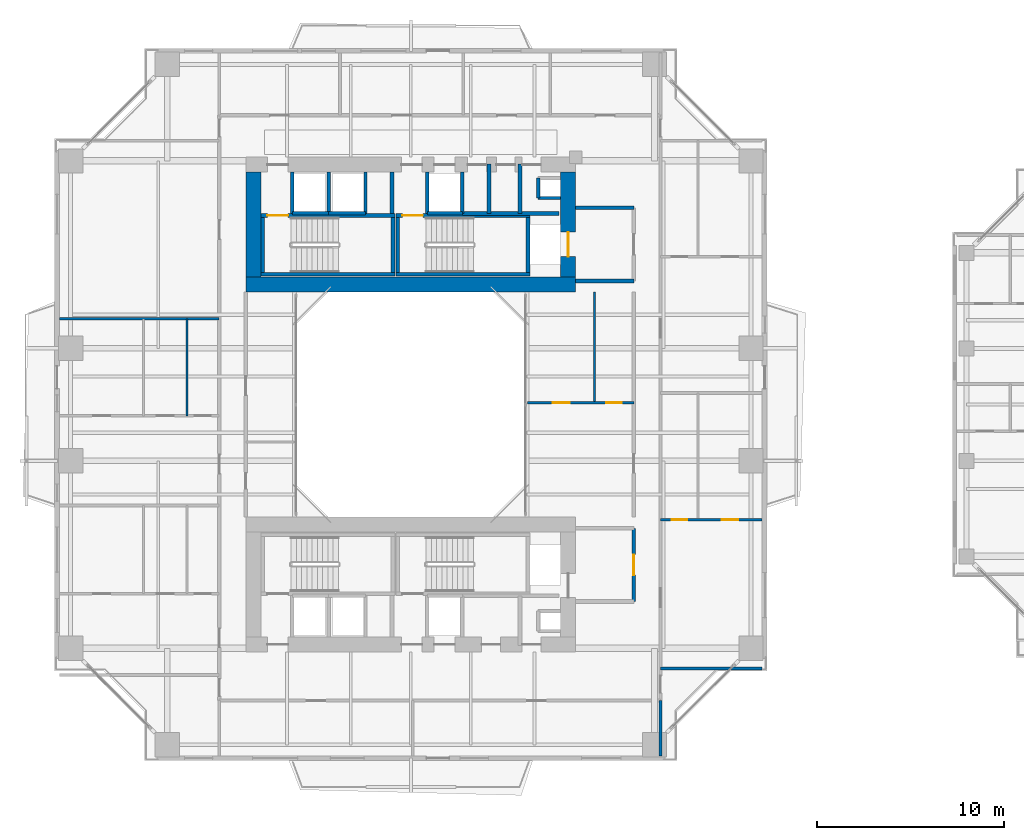
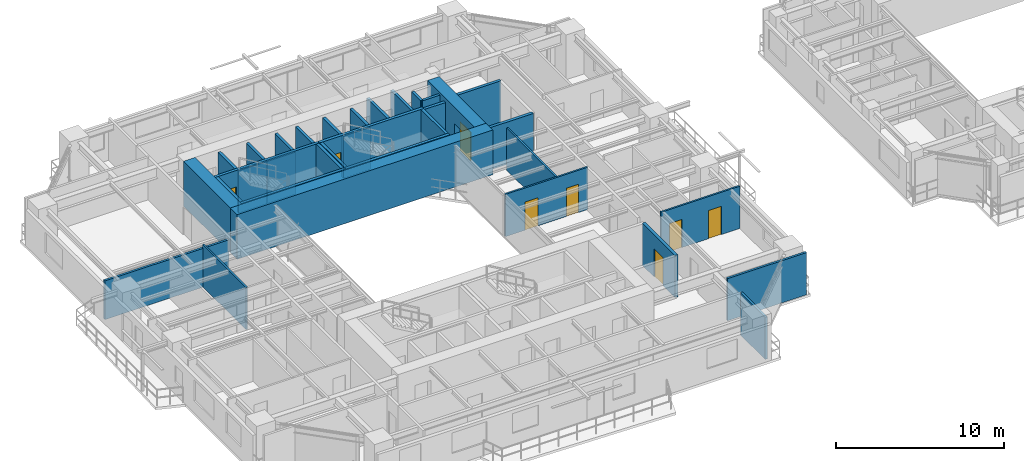
# One storey, part 14 of 24: 35 walls, 8 doors, 8 openings.
"""IFC4 building model written with IfcOpenShell, lengths in metres."""

from ifc_helpers import new_model, si_unit, direction, frame, frame_2d, origin, place, context, subcontext, project, spatial, rectangle, extrude, source, transform, mapped, material, layer, layer_set, type_object, element, fill, save


model = new_model("IFC4")

# Units and contexts
model_context = context("Model", 3, precision=1e-05, world=origin(), true_north=direction((0.0, 1.0)))
body_context = subcontext(model_context, "Body", "Model", "MODEL_VIEW")
ifc_project = project(units=[si_unit("LENGTHUNIT", "METRE"), si_unit("AREAUNIT", "SQUARE_METRE"), si_unit("VOLUMEUNIT", "CUBIC_METRE"), si_unit("PLANEANGLEUNIT", "RADIAN"), si_unit("MASSUNIT", "GRAM", prefix="KILO"), si_unit("THERMODYNAMICTEMPERATUREUNIT", "KELVIN"), si_unit("POWERUNIT", "WATT")], contexts=[model_context])

# Site, building, storey
site_placement = place(None, origin())
site = spatial("IfcSite", under=ifc_project, at=site_placement, CompositionType="ELEMENT")
building_placement = place(site_placement, origin())
building = spatial("IfcBuilding", under=site, at=building_placement, Name="Qiaomeng Ring Towers", CompositionType="ELEMENT")
storey_placement = place(building_placement, frame((0.0, 0.0, 69.75)))
storey = spatial("IfcBuildingStorey", under=building, at=storey_placement, Name="L19", CompositionType="ELEMENT", Elevation=69.75)

# Walls
ifc_material_1 = material(Name="Autoclaved aerated concrete block", Category="concrete")
ifc_layer_1 = layer(ifc_material_1, 0.199951171875, Name="Autoclaved aerated concrete block")
ifc_layer_set_1 = layer_set([ifc_layer_1], Name="Autoclaved aerated concrete block")
wall_type_1 = type_object("IfcWallType", Name="ARC-WL-PW1", PredefinedType="PARTITIONING", material=ifc_layer_set_1)
for number, where, z_axis, x_axis, name in (
    (1, (27.800048828125, 29.60009765625, 0.0), (0.0, 0.0, 1.0), (1.0, 0.0, 0.0), "L19 Interior Wall PW1"),
    (2, (27.800048828125, 33.5, 0.0), (0.0, 0.0, 1.0), (1.0, 0.0, 0.0), "L19 Interior Wall PW1"),
):
    element("IfcWall", number, at=place(storey_placement, frame(where, z_axis=z_axis, x_axis=x_axis)), inside=storey, type_object=wall_type_1, Name=name, PredefinedType="PARTITIONING", context=body_context, shape_type="SweptSolid", body=[
        extrude(rectangle(XDim=3.099853515625, YDim=0.199951171875, at=frame_2d((1.5498046875, 0.0))), origin(), (0.0, 0.0, 1.0), 3.070068359375),
    ])

# Wall, opening, door
wall_1_placement = place(storey_placement, frame((30.89990234375, 12.5, 0.0), z_axis=(0.0, 0.0, 1.0), x_axis=(0.0, 1.0, 0.0)))
wall_1 = element("IfcWall", 3, at=wall_1_placement, inside=storey, type_object=wall_type_1, Name="L19 Interior Wall PW1", PredefinedType="PARTITIONING", context=body_context, shape_type="SweptSolid", body=[
    extrude(rectangle(XDim=3.89990234375, YDim=0.199951171875, at=frame_2d((1.949951171875, 0.0))), origin(), (0.0, 0.0, 1.0), 3.070068359375),
])
opening_1_placement = place(wall_1_placement, frame((1.39990234375, 0.0, 0.0)))
opening_1 = element("IfcOpeningElement", 4, at=opening_1_placement, cuts=wall_1, Name="Opening FD3", PredefinedType="OPENING", context=body_context, shape_type="SweptSolid", body=[
    extrude(rectangle(XDim=1.10009765625, YDim=2.050048828125, at=frame_2d((0.550048828125, 1.02490234375))), frame((0.0, 0.10986328125, 0.0), z_axis=(0.0, -1.0, 0.0), x_axis=(1.0, 0.0, 0.0)), (0.0, 0.0, 1.0), 0.219970703125),
])
ifc_material_2 = material(Name="Galvanised steel", Category="steel")
door_type_1 = type_object("IfcDoorType", Name="ARC-DR-FD3", OperationType="NOTDEFINED", PredefinedType="DOOR", material=ifc_material_2)
shared_shape_1 = source(origin(), body_context, "Body", "SweptSolid", [
    extrude(rectangle(XDim=1.10009765625, YDim=2.050048828125, at=frame_2d((0.550048828125, 1.02490234375))), frame((0.0, 0.02490234375, 0.0), z_axis=(0.0, -1.0, 0.0), x_axis=(1.0, 0.0, 0.0)), (0.0, 0.0, 1.0), 0.050048828125),
])
door_1_placement = place(opening_1_placement, origin())
door_1 = element("IfcDoor", 5, at=door_1_placement, inside=storey, type_object=door_type_1, Name="L19 South FF Lobby Door", OperationType="SINGLE_SWING_LEFT", OverallHeight=2.050048828125, OverallWidth=1.10009765625, PredefinedType="DOOR", context=body_context, shape_type="MappedRepresentation", body=[
    mapped(shared_shape_1, transform((0.0, 0.0, 0.0), x_axis=(1.0, 0.0, 0.0), y_axis=(0.0, 1.0, 0.0), z_axis=(0.0, 0.0, 1.0), scale=1.0)),
])
fill(opening_1, door_1)

# Walls
for number, where, z_axis, x_axis, name in (
    (6, (12.679931640625, 33.18994140625, 0.0), (0.0, 0.0, 1.0), (0.0, 1.0, 0.0), "L19 Interior Wall PW1"),
    (7, (18.0, 33.18994140625, 0.0), (0.0, 0.0, 1.0), (0.0, 1.0, 0.0), "L19 Interior Wall PW1"),
    (8, (19.8798828125, 33.18994140625, 0.0), (0.0, 0.0, 1.0), (0.0, 1.0, 0.0), "L19 Interior Wall PW1"),
):
    element("IfcWall", number, at=place(storey_placement, frame(where, z_axis=z_axis, x_axis=x_axis)), inside=storey, type_object=wall_type_1, Name=name, PredefinedType="PARTITIONING", context=body_context, shape_type="SweptSolid", body=[
        extrude(rectangle(XDim=2.2099609375, YDim=0.199951171875, at=frame_2d((1.10498046875, 0.0))), origin(), (0.0, 0.0, 1.0), 3.070068359375),
    ])
wall_2_placement = place(storey_placement, frame((24.820068359375, 33.199951171875, 0.0), z_axis=(0.0, 0.0, 1.0), x_axis=(0.0, 1.0, 0.0)))
element("IfcWall", 9, at=wall_2_placement, inside=storey, type_object=wall_type_1, Name="L19 Interior Wall PW1", PredefinedType="PARTITIONING", context=body_context, shape_type="SweptSolid", body=[
    extrude(rectangle(XDim=2.650146484375, YDim=0.199951171875, at=frame_2d((1.3251953125, 0.0))), origin(), (0.0, 0.0, 1.0), 3.070068359375),
])
wall_3_placement = place(storey_placement, frame((21.75, 33.199951171875, 0.0), z_axis=(0.0, 0.0, 1.0), x_axis=(0.0, 1.0, 0.0)))
element("IfcWall", 10, at=wall_3_placement, inside=storey, type_object=wall_type_1, Name="L19 Interior Wall PW1", PredefinedType="PARTITIONING", context=body_context, shape_type="SweptSolid", body=[
    extrude(rectangle(XDim=2.199951171875, YDim=0.199951171875, at=frame_2d((1.10009765625, 0.0))), origin(), (0.0, 0.0, 1.0), 3.070068359375),
])
wall_4_placement = place(storey_placement, frame((23.169921875, 33.199951171875, 0.0), z_axis=(0.0, 0.0, 1.0), x_axis=(0.0, 1.0, 0.0)))
element("IfcWall", 11, at=wall_4_placement, inside=storey, type_object=wall_type_1, Name="L19 Interior Wall PW1", PredefinedType="PARTITIONING", context=body_context, shape_type="SweptSolid", body=[
    extrude(rectangle(XDim=2.650146484375, YDim=0.199951171875, at=frame_2d((1.3251953125, 0.0))), origin(), (0.0, 0.0, 1.0), 3.070068359375),
])
wall_5_placement = place(storey_placement, frame((21.75, 33.199951171875, 0.0), z_axis=(0.0, 0.0, 1.0), x_axis=(1.0, 0.0, 0.0)))
element("IfcWall", 12, at=wall_5_placement, inside=storey, type_object=wall_type_1, Name="L19 Interior Wall PW1", PredefinedType="PARTITIONING", context=body_context, shape_type="SweptSolid", body=[
    extrude(rectangle(XDim=5.169921875, YDim=0.199951171875, at=frame_2d((2.5849609375, 0.0))), origin(), (0.0, 0.0, 1.0), 3.070068359375),
])
ifc_material_3 = material(Name="Gypsum fireboard steel-stud partition", Category="steel")
ifc_layer_2 = layer(ifc_material_3, 0.14990234375, Name="Gypsum fireboard steel-stud partition")
ifc_layer_set_2 = layer_set([ifc_layer_2], Name="Gypsum fireboard steel-stud partition")
wall_type_2 = type_object("IfcWallType", Name="ARC-WL-PW3", PredefinedType="PARTITIONING", material=ifc_layer_set_2)
wall_6_placement = place(storey_placement, frame((32.320068359375, 4.25, 0.0), z_axis=(0.0, 0.0, 1.0), x_axis=(0.0, 1.0, 0.0)))
element("IfcWall", 13, at=wall_6_placement, inside=storey, type_object=wall_type_2, Name="L19 Interior Wall PW3", PredefinedType="PARTITIONING", context=body_context, shape_type="SweptSolid", body=[
    extrude(rectangle(XDim=2.9599609375, YDim=0.14990234375, at=frame_2d((1.47998046875, 0.0))), origin(), (0.0, 0.0, 1.0), 3.070068359375),
])
wall_7_placement = place(storey_placement, frame((0.25, 27.580078125, 0.0), z_axis=(0.0, 0.0, 1.0), x_axis=(1.0, 0.0, 0.0)))
element("IfcWall", 14, at=wall_7_placement, inside=storey, type_object=wall_type_2, Name="L19 Interior Wall PW3", PredefinedType="PARTITIONING", context=body_context, shape_type="SweptSolid", body=[
    extrude(rectangle(XDim=8.530029296875, YDim=0.14990234375, at=frame_2d((4.26513671875, 0.0))), origin(), (0.0, 0.0, 1.0), 2.821044921875),
])
wall_8_placement = place(storey_placement, frame((32.320068359375, 8.919921875, 0.0), z_axis=(0.0, 0.0, 1.0), x_axis=(1.0, 0.0, 0.0)))
element("IfcWall", 15, at=wall_8_placement, inside=storey, type_object=wall_type_2, Name="L19 Interior Wall PW3", PredefinedType="PARTITIONING", context=body_context, shape_type="SweptSolid", body=[
    extrude(rectangle(XDim=5.429931640625, YDim=0.14990234375, at=frame_2d((2.71484375, 0.0))), origin(), (0.0, 0.0, 1.0), 3.070068359375),
])
ifc_material_4 = material(Name="Moisture-resistant gypsum steel-stud partition", Category="steel")
ifc_layer_3 = layer(ifc_material_4, 0.1201171875, Name="Moisture-resistant gypsum steel-stud partition")
ifc_layer_set_3 = layer_set([ifc_layer_3], Name="Moisture-resistant gypsum steel-stud partition")
wall_type_3 = type_object("IfcWallType", Name="ARC-WL-PW4", PredefinedType="PLUMBINGWALL", material=ifc_layer_set_3)
wall_9_placement = place(storey_placement, frame((7.06005859375, 22.39990234375, 0.0), z_axis=(0.0, 0.0, 1.0), x_axis=(0.0, 1.0, 0.0)))
element("IfcWall", 16, at=wall_9_placement, inside=storey, type_object=wall_type_3, Name="L19 Interior Wall PW4", PredefinedType="PLUMBINGWALL", context=body_context, shape_type="SweptSolid", body=[
    extrude(rectangle(XDim=5.18017578125, YDim=0.1201171875, at=frame_2d((2.590087890625, 0.0))), origin(), (0.0, 0.0, 1.0), 3.070068359375),
])

# Wall, openings, doors
wall_10_placement = place(storey_placement, frame((32.320068359375, 16.860107421875, 0.0), z_axis=(0.0, 0.0, 1.0), x_axis=(1.0, 0.0, 0.0)))
wall_10 = element("IfcWall", 17, at=wall_10_placement, inside=storey, type_object=wall_type_3, Name="L19 Interior Wall PW4", PredefinedType="PLUMBINGWALL", context=body_context, shape_type="SweptSolid", body=[
    extrude(rectangle(XDim=5.429931640625, YDim=0.1201171875, at=frame_2d((2.71484375, 0.0))), origin(), (0.0, 0.0, 1.0), 3.070068359375),
])
opening_2_placement = place(wall_10_placement, frame((0.590087890625, 0.0, 0.0)))
opening_2 = element("IfcOpeningElement", 18, at=opening_2_placement, cuts=wall_10, Name="Opening ID2", PredefinedType="OPENING", context=body_context, shape_type="SweptSolid", body=[
    extrude(rectangle(XDim=0.85009765625, YDim=2.050048828125, at=frame_2d((0.425048828125, 1.02490234375))), frame((0.0, 0.070068359375, 0.0), z_axis=(0.0, -1.0, 0.0), x_axis=(1.0, 0.0, 0.0)), (0.0, 0.0, 1.0), 0.14013671875),
])
opening_3_placement = place(wall_10_placement, frame((3.260009765625, 0.0, 0.0)))
opening_3 = element("IfcOpeningElement", 19, at=opening_3_placement, cuts=wall_10, Name="Opening ID1", PredefinedType="OPENING", context=body_context, shape_type="SweptSolid", body=[
    extrude(rectangle(XDim=0.89990234375, YDim=2.050048828125, at=frame_2d((0.449951171875, 1.02490234375))), frame((0.0, 0.070068359375, 0.0), z_axis=(0.0, -1.0, 0.0), x_axis=(1.0, 0.0, 0.0)), (0.0, 0.0, 1.0), 0.14013671875),
])
ifc_material_5 = material(Name="Moisture-resistant engineered timber", Category="wood")
door_type_2 = type_object("IfcDoorType", Name="ARC-DR-ID2", OperationType="NOTDEFINED", PredefinedType="DOOR", material=ifc_material_5)
shared_shape_2 = source(origin(), body_context, "Body", "SweptSolid", [
    extrude(rectangle(XDim=0.85009765625, YDim=2.050048828125, at=frame_2d((0.425048828125, 1.02490234375))), frame((0.0, 0.02490234375, 0.0), z_axis=(0.0, -1.0, 0.0), x_axis=(1.0, 0.0, 0.0)), (0.0, 0.0, 1.0), 0.050048828125),
])
door_2_placement = place(opening_2_placement, origin())
door_2 = element("IfcDoor", 20, at=door_2_placement, inside=storey, type_object=door_type_2, Name="L19 Door ID2", OperationType="SINGLE_SWING_RIGHT", OverallHeight=2.050048828125, OverallWidth=0.85009765625, PredefinedType="DOOR", context=body_context, shape_type="MappedRepresentation", body=[
    mapped(shared_shape_2, transform((0.0, 0.0, 0.0), x_axis=(1.0, 0.0, 0.0), y_axis=(0.0, 1.0, 0.0), z_axis=(0.0, 0.0, 1.0), scale=1.0)),
])
fill(opening_2, door_2)
ifc_material_6 = material(Name="Engineered oak timber", Category="wood")
door_type_3 = type_object("IfcDoorType", Name="ARC-DR-ID1", OperationType="NOTDEFINED", PredefinedType="DOOR", material=ifc_material_6)
shared_shape_3 = source(origin(), body_context, "Body", "SweptSolid", [
    extrude(rectangle(XDim=0.89990234375, YDim=2.050048828125, at=frame_2d((0.449951171875, 1.02490234375))), frame((0.0, 0.02490234375, 0.0), z_axis=(0.0, -1.0, 0.0), x_axis=(1.0, 0.0, 0.0)), (0.0, 0.0, 1.0), 0.050048828125),
])
door_3_placement = place(opening_3_placement, origin())
door_3 = element("IfcDoor", 21, at=door_3_placement, inside=storey, type_object=door_type_3, Name="L19 Door ID1", OperationType="SINGLE_SWING_LEFT", OverallHeight=2.050048828125, OverallWidth=0.89990234375, PredefinedType="DOOR", context=body_context, shape_type="MappedRepresentation", body=[
    mapped(shared_shape_3, transform((0.0, 0.0, 0.0), x_axis=(1.0, 0.0, 0.0), y_axis=(0.0, 1.0, 0.0), z_axis=(0.0, 0.0, 1.0), scale=1.0)),
])
fill(opening_3, door_3)

wall_11_placement = place(storey_placement, frame((25.219970703125, 23.10009765625, 0.0), z_axis=(0.0, 0.0, 1.0), x_axis=(1.0, 0.0, 0.0)))
wall_11 = element("IfcWall", 22, at=wall_11_placement, inside=storey, type_object=wall_type_3, Name="L19 Interior Wall PW4", PredefinedType="PLUMBINGWALL", context=body_context, shape_type="SweptSolid", body=[
    extrude(rectangle(XDim=5.679931640625, YDim=0.1201171875, at=frame_2d((2.83984375, 0.0))), origin(), (0.0, 0.0, 1.0), 3.070068359375),
])
opening_4_placement = place(wall_11_placement, frame((1.35009765625, 0.0, 0.0)))
opening_4 = element("IfcOpeningElement", 23, at=opening_4_placement, cuts=wall_11, Name="Opening ID1", PredefinedType="OPENING", context=body_context, shape_type="SweptSolid", body=[
    extrude(rectangle(XDim=0.89990234375, YDim=2.050048828125, at=frame_2d((0.449951171875, 1.02490234375))), frame((0.0, 0.070068359375, 0.0), z_axis=(0.0, -1.0, 0.0), x_axis=(1.0, 0.0, 0.0)), (0.0, 0.0, 1.0), 0.14013671875),
])
opening_5_placement = place(wall_11_placement, frame((4.195068359375, 0.0, 0.0)))
opening_5 = element("IfcOpeningElement", 24, at=opening_5_placement, cuts=wall_11, Name="Opening ID2", PredefinedType="OPENING", context=body_context, shape_type="SweptSolid", body=[
    extrude(rectangle(XDim=0.85009765625, YDim=2.050048828125, at=frame_2d((0.425048828125, 1.02490234375))), frame((0.0, 0.070068359375, 0.0), z_axis=(0.0, -1.0, 0.0), x_axis=(1.0, 0.0, 0.0)), (0.0, 0.0, 1.0), 0.14013671875),
])
door_4_placement = place(opening_5_placement, origin())
door_4 = element("IfcDoor", 25, at=door_4_placement, inside=storey, type_object=door_type_2, Name="L19 Door ID2", OperationType="SINGLE_SWING_LEFT", OverallHeight=2.050048828125, OverallWidth=0.85009765625, PredefinedType="DOOR", context=body_context, shape_type="MappedRepresentation", body=[
    mapped(shared_shape_2, transform((0.0, 0.0, 0.0), x_axis=(1.0, 0.0, 0.0), y_axis=(0.0, 1.0, 0.0), z_axis=(0.0, 0.0, 1.0), scale=1.0)),
])
fill(opening_5, door_4)
door_5_placement = place(opening_4_placement, origin())
door_5 = element("IfcDoor", 26, at=door_5_placement, inside=storey, type_object=door_type_3, Name="L19 Door ID1", OperationType="SINGLE_SWING_RIGHT", OverallHeight=2.050048828125, OverallWidth=0.89990234375, PredefinedType="DOOR", context=body_context, shape_type="MappedRepresentation", body=[
    mapped(shared_shape_3, transform((0.0, 0.0, 0.0), x_axis=(1.0, 0.0, 0.0), y_axis=(0.0, 1.0, 0.0), z_axis=(0.0, 0.0, 1.0), scale=1.0)),
])
fill(opening_4, door_5)

# Walls
wall_12_placement = place(storey_placement, frame((28.800048828125, 23.10009765625, 0.0), z_axis=(0.0, 0.0, 1.0), x_axis=(0.0, 1.0, 0.0)))
element("IfcWall", 27, at=wall_12_placement, inside=storey, type_object=wall_type_3, Name="L19 Interior Wall PW4", PredefinedType="PLUMBINGWALL", context=body_context, shape_type="SweptSolid", body=[
    extrude(rectangle(XDim=5.89990234375, YDim=0.1201171875, at=frame_2d((2.949951171875, 0.0))), origin(), (0.0, 0.0, 1.0), 3.070068359375),
])
ifc_material_7 = material(Name="Concrete C40", Category="concrete")
ifc_layer_4 = layer(ifc_material_7, 0.199951171875, Name="Concrete C40")
ifc_layer_set_4 = layer_set([ifc_layer_4], Name="Concrete C40")
wall_type_4 = type_object("IfcWallType", Name="STR-WL-STSHAFT", PredefinedType="SHEAR", material=ifc_layer_set_4)
wall_13_placement = place(storey_placement, frame((12.679931640625, 33.199951171875, 0.0), z_axis=(0.0, 0.0, 1.0), x_axis=(1.0, 0.0, 0.0)))
element("IfcWall", 28, at=wall_13_placement, inside=storey, type_object=wall_type_4, Name="L19 Lift LP5 Shaft Back Wall", PredefinedType="SHEAR", context=body_context, shape_type="SweptSolid", body=[
    extrude(rectangle(XDim=1.940185546875, YDim=0.179931640625, at=frame_2d((0.97021484375, 0.0))), origin(), (0.0, 0.0, 1.0), 3.070068359375),
])
wall_14_placement = place(storey_placement, frame((14.6201171875, 33.199951171875, 0.0), z_axis=(0.0, 0.0, 1.0), x_axis=(0.0, 1.0, 0.0)))
element("IfcWall", 29, at=wall_14_placement, inside=storey, type_object=wall_type_4, Name="L19 Lift LP5-LP3 Shaft Divider Wall", PredefinedType="SHEAR", context=body_context, shape_type="SweptSolid", body=[
    extrude(rectangle(XDim=2.199951171875, YDim=0.179931640625, at=frame_2d((1.10009765625, 0.0))), origin(), (0.0, 0.0, 1.0), 3.070068359375),
])
wall_15_placement = place(storey_placement, frame((25.800048828125, 34.02001953125, 0.0), z_axis=(0.0, 0.0, 1.0), x_axis=(0.0, 1.0, 0.0)))
element("IfcWall", 30, at=wall_15_placement, inside=storey, type_object=wall_type_4, Name="L19 Riser RSR1 West Shaft Wall N", PredefinedType="SHEAR", context=body_context, shape_type="SweptSolid", body=[
    extrude(rectangle(XDim=1.06005859375, YDim=0.179931640625, at=frame_2d((0.530029296875, 0.0))), origin(), (0.0, 0.0, 1.0), 3.070068359375),
])
wall_16_placement = place(storey_placement, frame((25.800048828125, 34.02001953125, 0.0), z_axis=(0.0, 0.0, 1.0), x_axis=(1.0, 0.0, 0.0)))
element("IfcWall", 31, at=wall_16_placement, inside=storey, type_object=wall_type_4, Name="L19 Riser RSR1 South Shaft Wall N", PredefinedType="SHEAR", context=body_context, shape_type="SweptSolid", body=[
    extrude(rectangle(XDim=1.199951171875, YDim=0.179931640625, at=frame_2d((0.60009765625, 0.0))), origin(), (0.0, 0.0, 1.0), 3.070068359375),
])
wall_17_placement = place(storey_placement, frame((14.6201171875, 33.199951171875, 0.0), z_axis=(0.0, 0.0, 1.0), x_axis=(1.0, 0.0, 0.0)))
element("IfcWall", 32, at=wall_17_placement, inside=storey, type_object=wall_type_4, Name="L19 Lift LP3 Shaft Back Wall", PredefinedType="SHEAR", context=body_context, shape_type="SweptSolid", body=[
    extrude(rectangle(XDim=1.9599609375, YDim=0.179931640625, at=frame_2d((0.97998046875, 0.0))), origin(), (0.0, 0.0, 1.0), 3.070068359375),
])
wall_18_placement = place(storey_placement, frame((16.580078125, 33.199951171875, 0.0), z_axis=(0.0, 0.0, 1.0), x_axis=(0.0, 1.0, 0.0)))
element("IfcWall", 33, at=wall_18_placement, inside=storey, type_object=wall_type_4, Name="L19 Lift LP3 East Shaft Wall", PredefinedType="SHEAR", context=body_context, shape_type="SweptSolid", body=[
    extrude(rectangle(XDim=2.199951171875, YDim=0.179931640625, at=frame_2d((1.10009765625, 0.0))), origin(), (0.0, 0.0, 1.0), 3.070068359375),
])
wall_19_placement = place(storey_placement, frame((19.8798828125, 33.199951171875, 0.0), z_axis=(0.0, 0.0, 1.0), x_axis=(1.0, 0.0, 0.0)))
element("IfcWall", 34, at=wall_19_placement, inside=storey, type_object=wall_type_4, Name="L19 Lift LP1 Shaft Back Wall", PredefinedType="SHEAR", context=body_context, shape_type="SweptSolid", body=[
    extrude(rectangle(XDim=1.8701171875, YDim=0.179931640625, at=frame_2d((0.93505859375, 0.0))), origin(), (0.0, 0.0, 1.0), 3.070068359375),
])
wall_20_placement = place(storey_placement, frame((11.0, 29.949951171875, 0.0), z_axis=(0.0, 0.0, 1.0), x_axis=(1.0, 0.0, 0.0)))
element("IfcWall", 35, at=wall_20_placement, inside=storey, type_object=wall_type_4, Name="L19 Stair ST1 South Shaft Shear Wall", PredefinedType="SHEAR", context=body_context, shape_type="SweptSolid", body=[
    extrude(rectangle(XDim=7.14990234375, YDim=0.199951171875, at=frame_2d((3.574951171875, 0.0))), origin(), (0.0, 0.0, 1.0), 3.25),
])

# Wall, opening, door
wall_21_placement = place(storey_placement, frame((11.0, 33.090087890625, 0.0), z_axis=(0.0, 0.0, 1.0), x_axis=(1.0, 0.0, 0.0)))
wall_21 = element("IfcWall", 36, at=wall_21_placement, inside=storey, type_object=wall_type_4, Name="L19 Stair ST1 North Shaft Shear Wall", PredefinedType="SHEAR", context=body_context, shape_type="SweptSolid", body=[
    extrude(rectangle(XDim=7.14990234375, YDim=0.199951171875, at=frame_2d((3.574951171875, 0.0))), origin(), (0.0, 0.0, 1.0), 3.25),
])
opening_6_placement = place(wall_21_placement, frame((0.35009765625, 0.0, 0.0)))
opening_6 = element("IfcOpeningElement", 37, at=opening_6_placement, cuts=wall_21, Name="Opening FD3", PredefinedType="OPENING", context=body_context, shape_type="SweptSolid", body=[
    extrude(rectangle(XDim=1.10009765625, YDim=2.050048828125, at=frame_2d((0.550048828125, 1.02490234375))), frame((0.0, 0.10986328125, 0.0), z_axis=(0.0, -1.0, 0.0), x_axis=(1.0, 0.0, 0.0)), (0.0, 0.0, 1.0), 0.219970703125),
])
door_6_placement = place(opening_6_placement, origin())
door_6 = element("IfcDoor", 38, at=door_6_placement, inside=storey, type_object=door_type_1, Name="L19 Stair ST1 Exit Door", OperationType="SINGLE_SWING_LEFT", OverallHeight=2.050048828125, OverallWidth=1.10009765625, PredefinedType="DOOR", context=body_context, shape_type="MappedRepresentation", body=[
    mapped(shared_shape_1, transform((0.0, 0.0, 0.0), x_axis=(1.0, 0.0, 0.0), y_axis=(0.0, 1.0, 0.0), z_axis=(0.0, 0.0, 1.0), scale=1.0)),
])
fill(opening_6, door_6)

# Walls
for number, where, z_axis, x_axis, name in (
    (39, (11.10009765625, 30.050048828125, 0.0), (0.0, 0.0, 1.0), (0.0, 1.0, 0.0), "L19 Stair ST1 West Shaft Shear Wall"),
    (40, (18.050048828125, 30.050048828125, 0.0), (0.0, 0.0, 1.0), (0.0, 1.0, 0.0), "L19 Stair ST1 East Shaft Shear Wall"),
):
    element("IfcWall", number, at=place(storey_placement, frame(where, z_axis=z_axis, x_axis=x_axis)), inside=storey, type_object=wall_type_4, Name=name, PredefinedType="SHEAR", context=body_context, shape_type="SweptSolid", body=[
        extrude(rectangle(XDim=2.93994140625, YDim=0.199951171875, at=frame_2d((1.469970703125, 0.0))), origin(), (0.0, 0.0, 1.0), 3.25),
    ])
wall_22_placement = place(storey_placement, frame((18.199951171875, 29.949951171875, 0.0), z_axis=(0.0, 0.0, 1.0), x_axis=(1.0, 0.0, 0.0)))
element("IfcWall", 41, at=wall_22_placement, inside=storey, type_object=wall_type_4, Name="L19 Stair ST2 South Shaft Shear Wall", PredefinedType="SHEAR", context=body_context, shape_type="SweptSolid", body=[
    extrude(rectangle(XDim=7.150146484375, YDim=0.199951171875, at=frame_2d((3.5751953125, 0.0))), origin(), (0.0, 0.0, 1.0), 3.25),
])

# Wall, opening, door
wall_23_placement = place(storey_placement, frame((18.199951171875, 33.090087890625, 0.0), z_axis=(0.0, 0.0, 1.0), x_axis=(1.0, 0.0, 0.0)))
wall_23 = element("IfcWall", 42, at=wall_23_placement, inside=storey, type_object=wall_type_4, Name="L19 Stair ST2 North Shaft Shear Wall", PredefinedType="SHEAR", context=body_context, shape_type="SweptSolid", body=[
    extrude(rectangle(XDim=7.150146484375, YDim=0.199951171875, at=frame_2d((3.5751953125, 0.0))), origin(), (0.0, 0.0, 1.0), 3.25),
])
opening_7_placement = place(wall_23_placement, frame((0.35009765625, 0.0, 0.0)))
opening_7 = element("IfcOpeningElement", 43, at=opening_7_placement, cuts=wall_23, Name="Opening FD3", PredefinedType="OPENING", context=body_context, shape_type="SweptSolid", body=[
    extrude(rectangle(XDim=1.10009765625, YDim=2.050048828125, at=frame_2d((0.550048828125, 1.02490234375))), frame((0.0, 0.10986328125, 0.0), z_axis=(0.0, -1.0, 0.0), x_axis=(1.0, 0.0, 0.0)), (0.0, 0.0, 1.0), 0.219970703125),
])
door_7_placement = place(opening_7_placement, origin())
door_7 = element("IfcDoor", 44, at=door_7_placement, inside=storey, type_object=door_type_1, Name="L19 Stair ST2 Exit Door", OperationType="SINGLE_SWING_LEFT", OverallHeight=2.050048828125, OverallWidth=1.10009765625, PredefinedType="DOOR", context=body_context, shape_type="MappedRepresentation", body=[
    mapped(shared_shape_1, transform((0.0, 0.0, 0.0), x_axis=(1.0, 0.0, 0.0), y_axis=(0.0, 1.0, 0.0), z_axis=(0.0, 0.0, 1.0), scale=1.0)),
])
fill(opening_7, door_7)

# Walls
for number, where, z_axis, x_axis, name in (
    (45, (18.300048828125, 30.050048828125, 0.0), (0.0, 0.0, 1.0), (0.0, 1.0, 0.0), "L19 Stair ST2 West Shaft Shear Wall"),
    (46, (25.25, 30.050048828125, 0.0), (0.0, 0.0, 1.0), (0.0, 1.0, 0.0), "L19 Stair ST2 East Shaft Shear Wall"),
):
    element("IfcWall", number, at=place(storey_placement, frame(where, z_axis=z_axis, x_axis=x_axis)), inside=storey, type_object=wall_type_4, Name=name, PredefinedType="SHEAR", context=body_context, shape_type="SweptSolid", body=[
        extrude(rectangle(XDim=2.93994140625, YDim=0.199951171875, at=frame_2d((1.469970703125, 0.0))), origin(), (0.0, 0.0, 1.0), 3.25),
    ])
ifc_material_8 = material(Name="Concrete C60", Category="concrete")
ifc_layer_5 = layer(ifc_material_8, 0.800048828125, Name="Concrete C60")
ifc_layer_set_5 = layer_set([ifc_layer_5], Name="Concrete C60")
wall_type_5 = type_object("IfcWallType", Name="STR-WL-SW1", PredefinedType="SHEAR", material=ifc_layer_set_5)
wall_24_placement = place(storey_placement, frame((10.199951171875, 29.39990234375, 0.0), z_axis=(0.0, 0.0, 1.0), x_axis=(1.0, 0.0, 0.0)))
element("IfcWall", 47, at=wall_24_placement, inside=storey, type_object=wall_type_5, Name="L19 T1NC south core shear wall", PredefinedType="SHEAR", context=body_context, shape_type="SweptSolid", body=[
    extrude(rectangle(XDim=17.60009765625, YDim=0.800048828125, at=frame_2d((8.800048828125, 0.0))), origin(), (0.0, 0.0, 1.0), 3.25),
])
wall_25_placement = place(storey_placement, frame((10.60009765625, 29.800048828125, 0.0), z_axis=(0.0, 0.0, 1.0), x_axis=(0.0, 1.0, 0.0)))
element("IfcWall", 48, at=wall_25_placement, inside=storey, type_object=wall_type_5, Name="L19 T1NC west core shear wall", PredefinedType="SHEAR", context=body_context, shape_type="SweptSolid", body=[
    extrude(rectangle(XDim=5.599853515625, YDim=0.800048828125, at=frame_2d((2.7998046875, 0.0))), origin(), (0.0, 0.0, 1.0), 3.25),
])

# Wall, opening, door
wall_26_placement = place(storey_placement, frame((27.39990234375, 29.800048828125, 0.0), z_axis=(0.0, 0.0, 1.0), x_axis=(0.0, 1.0, 0.0)))
wall_26 = element("IfcWall", 49, at=wall_26_placement, inside=storey, type_object=wall_type_5, Name="L19 T1NC east core shear wall", PredefinedType="SHEAR", context=body_context, shape_type="SweptSolid", body=[
    extrude(rectangle(XDim=5.599853515625, YDim=0.800048828125, at=frame_2d((2.7998046875, 0.0))), origin(), (0.0, 0.0, 1.0), 3.25),
])
opening_8_placement = place(wall_26_placement, frame((1.10009765625, 0.0, 0.0)))
opening_8 = element("IfcOpeningElement", 50, at=opening_8_placement, cuts=wall_26, Name="Opening LD2", PredefinedType="OPENING", context=body_context, shape_type="SweptSolid", body=[
    extrude(rectangle(XDim=1.300048828125, YDim=2.050048828125, at=frame_2d((0.64990234375, 1.02490234375))), frame((0.0, 0.409912109375, 0.0), z_axis=(0.0, -1.0, 0.0), x_axis=(1.0, 0.0, 0.0)), (0.0, 0.0, 1.0), 0.820068359375),
])
ifc_material_9 = material(Name="Stainless steel 316", Category="steel")
door_type_4 = type_object("IfcDoorType", Name="ARC-DR-LD2", OperationType="NOTDEFINED", PredefinedType="DOOR", material=ifc_material_9)
shared_shape_4 = source(origin(), body_context, "Body", "SweptSolid", [
    extrude(rectangle(XDim=1.300048828125, YDim=2.050048828125, at=frame_2d((0.64990234375, 1.02490234375))), frame((0.0, 0.02490234375, 0.0), z_axis=(0.0, -1.0, 0.0), x_axis=(1.0, 0.0, 0.0)), (0.0, 0.0, 1.0), 0.050048828125),
])
door_8_placement = place(opening_8_placement, origin())
door_8 = element("IfcDoor", 51, at=door_8_placement, inside=storey, type_object=door_type_4, Name="L19 Firefighting Lift FL1 Landing Door", OperationType="SLIDING_TO_LEFT", OverallHeight=2.050048828125, OverallWidth=1.300048828125, PredefinedType="DOOR", context=body_context, shape_type="MappedRepresentation", body=[
    mapped(shared_shape_4, transform((0.0, 0.0, 0.0), x_axis=(1.0, 0.0, 0.0), y_axis=(0.0, 1.0, 0.0), z_axis=(0.0, 0.0, 1.0), scale=1.0)),
])
fill(opening_8, door_8)

save(model, "model.ifc")
